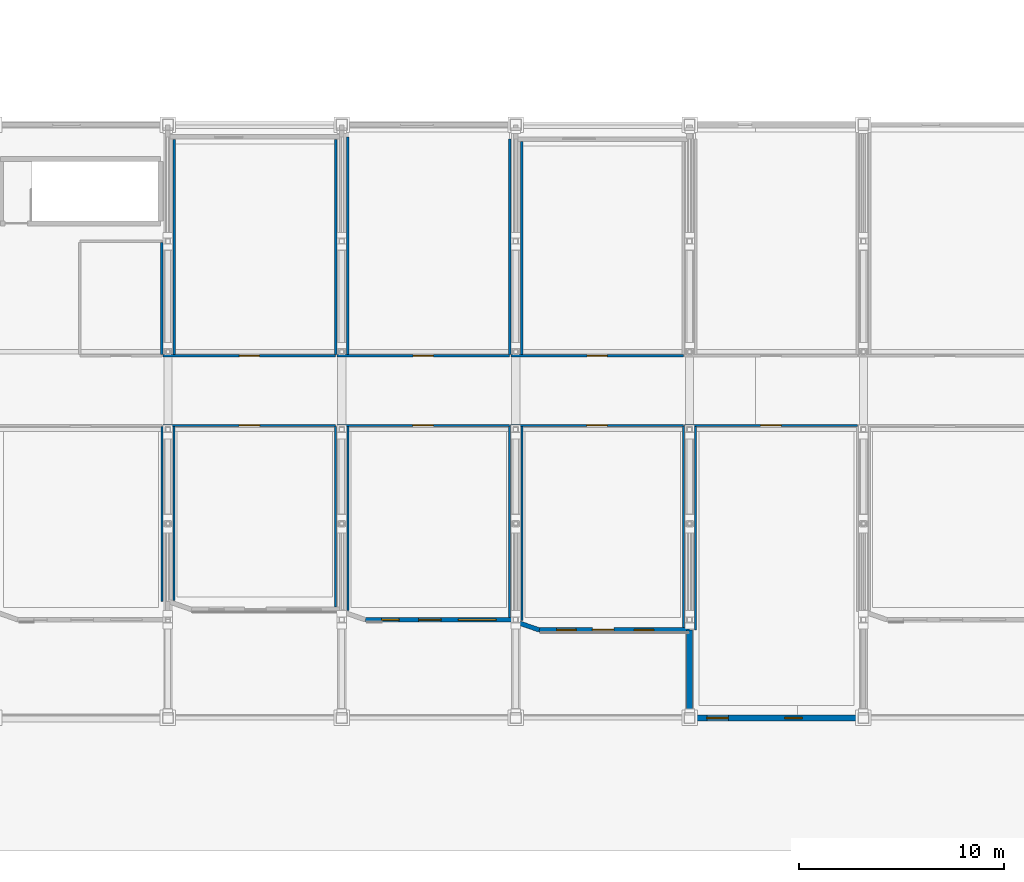
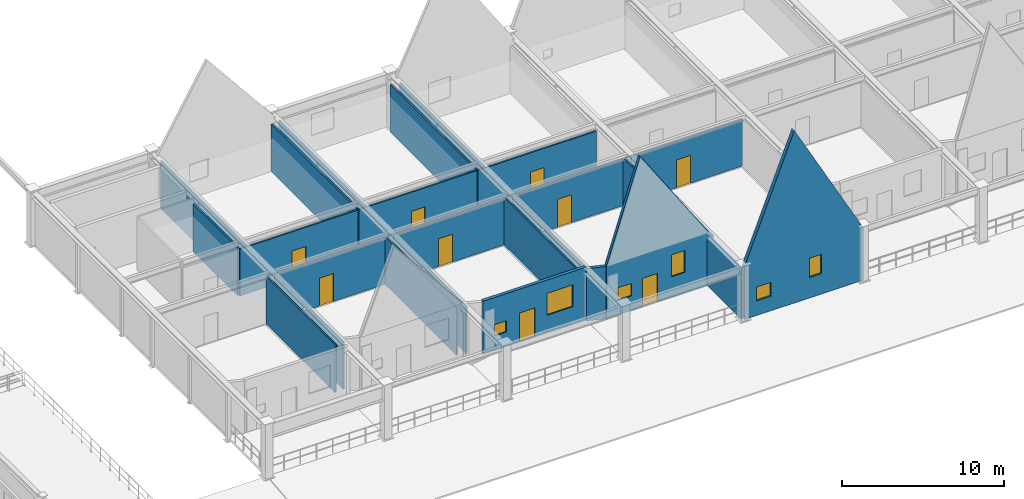
# One storey, part 63 of 78: 26 walls, 9 doors, 6 windows, 15 openings.
"""IFC4 building model written with IfcOpenShell, lengths in metres."""

from ifc_helpers import new_model, si_unit, direction, frame, frame_2d, origin, place, context, subcontext, project, spatial, polyline, rectangle, outline, extrude, material, layer, layer_set, type_object, element, fill, save


model = new_model("IFC4")

# Units and contexts
model_context = context("Model", 3, precision=1e-05, world=origin(), true_north=direction((0.0, 1.0)))
body_context = subcontext(model_context, "Body", "Model", "MODEL_VIEW")
ifc_project = project(units=[si_unit("LENGTHUNIT", "METRE"), si_unit("AREAUNIT", "SQUARE_METRE"), si_unit("VOLUMEUNIT", "CUBIC_METRE"), si_unit("PLANEANGLEUNIT", "RADIAN"), si_unit("MASSUNIT", "GRAM", prefix="KILO"), si_unit("THERMODYNAMICTEMPERATUREUNIT", "KELVIN"), si_unit("POWERUNIT", "WATT")], contexts=[model_context])

# Site, building, storey
site_placement = place(None, origin())
site = spatial("IfcSite", under=ifc_project, at=site_placement, CompositionType="ELEMENT")
building_placement = place(site_placement, origin())
building = spatial("IfcBuilding", under=site, at=building_placement, Name="Zhenchuan Central Fire Station", CompositionType="ELEMENT")
storey_placement = place(building_placement, frame((0.0, 0.0, 5.85009765625)))
storey = spatial("IfcBuildingStorey", under=building, at=storey_placement, Name="L02", CompositionType="ELEMENT", Elevation=5.85009765625)

# Wall
ifc_material_1 = material(Name="Sintered clay brick masonry MU15", Category="masonry")
ifc_layer_1 = layer(ifc_material_1, 0.300048828125, Name="Sintered clay brick masonry MU15", Category="masonry")
ifc_layer_set_1 = layer_set([ifc_layer_1], Name="Sintered clay brick masonry MU15")
wall_type_1 = type_object("IfcWallType", Name="EW-BRK300", PredefinedType="SOLIDWALL", material=ifc_layer_set_1)
wall_1_placement = place(storey_placement, frame((90.0, 6.510009765625, 0.0), z_axis=(0.0, 0.0, 1.0), x_axis=(0.0, 1.0, 0.0)))
element("IfcWall", 1, at=wall_1_placement, inside=storey, type_object=wall_type_1, Name="Pavilion H05 South Setback Return Wall", PredefinedType="SOLIDWALL", context=body_context, shape_type="SweptSolid", body=[
    extrude(rectangle(XDim=4.280029296875, YDim=0.300048828125, at=frame_2d((2.14013671875, 0.0))), origin(), (0.0, 0.0, 1.0), 3.58984375),
])

# Wall, openings, windows
wall_2_placement = place(storey_placement, frame((90.0, 6.5, 0.0), z_axis=(0.0, 0.0, 1.0), x_axis=(1.0, 0.0, 0.0)))
wall_2 = element("IfcWall", 2, at=wall_2_placement, inside=storey, type_object=wall_type_1, Name="Pavilion H05 South Red-Brick Station Sign Gable Wall", PredefinedType="SOLIDWALL", context=body_context, shape_type="SweptSolid", body=[
    extrude(outline(polyline([(0.0, 0.0), (8.5, 0.0), (8.5, 3.949951171875), (3.570068359375, 13.02001953125), (0.0, 3.949951171875), (0.0, 0.0)])), frame((0.0, 0.14990234375, 0.0), z_axis=(0.0, -1.0, 0.0), x_axis=(1.0, 0.0, 0.0)), (0.0, 0.0, 1.0), 0.300048828125),
])
opening_1_placement = place(wall_2_placement, frame((0.85009765625, 0.0, 1.10009765625)))
opening_1 = element("IfcOpeningElement", 3, at=opening_1_placement, cuts=wall_2, Name="Opening W-05", PredefinedType="OPENING", context=body_context, shape_type="SweptSolid", body=[
    extrude(rectangle(XDim=1.050048828125, YDim=1.050048828125, at=frame_2d((0.52490234375, 0.52490234375))), frame((0.0, 0.159912109375, 0.0), z_axis=(0.0, -1.0, 0.0), x_axis=(1.0, 0.0, 0.0)), (0.0, 0.0, 1.0), 0.320068359375),
])
opening_2_placement = place(wall_2_placement, frame((4.64990234375, 0.0, 1.550048828125)))
opening_2 = element("IfcOpeningElement", 4, at=opening_2_placement, cuts=wall_2, Name="Opening W-54", PredefinedType="OPENING", context=body_context, shape_type="SweptSolid", body=[
    extrude(rectangle(XDim=0.85009765625, YDim=1.449951171875, at=frame_2d((0.425048828125, 0.72509765625))), frame((0.0, 0.159912109375, 0.0), z_axis=(0.0, -1.0, 0.0), x_axis=(1.0, 0.0, 0.0)), (0.0, 0.0, 1.0), 0.320068359375),
])
ifc_material_2 = material(Name="Laminated low-E double glazing in aluminium frame", Category="aluminium")
window_type_1 = type_object("IfcWindowType", Name="WN-05", PartitioningType="SINGLE_PANEL", PredefinedType="WINDOW", material=ifc_material_2)
window_1_placement = place(opening_1_placement, origin())
window_1 = element("IfcWindow", 5, at=window_1_placement, inside=storey, type_object=window_type_1, Name="Exterior Window 0018", OverallHeight=1.050048828125, OverallWidth=1.050048828125, PartitioningType="SINGLE_PANEL", PredefinedType="WINDOW", context=body_context, shape_type="SweptSolid", body=[
    extrude(rectangle(XDim=1.050048828125, YDim=1.050048828125, at=frame_2d((0.52490234375, 0.52490234375))), frame((0.0, 0.030029296875, 0.0), z_axis=(0.0, -1.0, 0.0), x_axis=(1.0, 0.0, 0.0)), (0.0, 0.0, 1.0), 0.06005859375),
])
fill(opening_1, window_1)
window_type_2 = type_object("IfcWindowType", Name="WN-54", PartitioningType="SINGLE_PANEL", PredefinedType="WINDOW", material=ifc_material_2)
window_2_placement = place(opening_2_placement, origin())
window_2 = element("IfcWindow", 6, at=window_2_placement, inside=storey, type_object=window_type_2, Name="Exterior Window 0019", OverallHeight=1.449951171875, OverallWidth=0.85009765625, PartitioningType="SINGLE_PANEL", PredefinedType="WINDOW", context=body_context, shape_type="SweptSolid", body=[
    extrude(rectangle(XDim=0.85009765625, YDim=1.449951171875, at=frame_2d((0.425048828125, 0.72509765625))), frame((0.0, 0.030029296875, 0.0), z_axis=(0.0, -1.0, 0.0), x_axis=(1.0, 0.0, 0.0)), (0.0, 0.0, 1.0), 0.06005859375),
])
fill(opening_2, window_2)

# Wall, openings, door, windows
ifc_material_3 = material(Name="Precast concrete C40/50", Category="concrete")
ifc_layer_2 = layer(ifc_material_3, 0.219970703125, Name="Precast concrete C40/50", Category="concrete")
ifc_layer_set_2 = layer_set([ifc_layer_2], Name="Precast concrete C40/50")
wall_type_2 = type_object("IfcWallType", Name="EW-PRC220", PredefinedType="SOLIDWALL", material=ifc_layer_set_2)
wall_3_placement = place(storey_placement, frame((74.14990234375, 11.300048828125, 0.0), z_axis=(0.0, 0.0, 1.0), x_axis=(1.0, 0.0, 0.0)))
wall_3 = element("IfcWall", 7, at=wall_3_placement, inside=storey, type_object=wall_type_2, Name="Pavilion H03 South Wall", PredefinedType="SOLIDWALL", context=body_context, shape_type="SweptSolid", body=[
    extrude(rectangle(XDim=7.35009765625, YDim=0.219970703125, at=frame_2d((3.675048828125, 0.0))), origin(), (0.0, 0.0, 1.0), 4.0),
])
opening_3_placement = place(wall_3_placement, frame((2.60009765625, 0.0, 0.0)))
opening_3 = element("IfcOpeningElement", 8, at=opening_3_placement, cuts=wall_3, Name="Opening TD-003", PredefinedType="OPENING", context=body_context, shape_type="SweptSolid", body=[
    extrude(rectangle(XDim=1.10009765625, YDim=2.199951171875, at=frame_2d((0.550048828125, 1.10009765625))), frame((0.0, 0.119873046875, 0.0), z_axis=(0.0, -1.0, 0.0), x_axis=(1.0, 0.0, 0.0)), (0.0, 0.0, 1.0), 0.239990234375),
])
opening_4_placement = place(wall_3_placement, frame((0.800048828125, 0.0, 1.10009765625)))
opening_4 = element("IfcOpeningElement", 9, at=opening_4_placement, cuts=wall_3, Name="Opening W-03", PredefinedType="OPENING", context=body_context, shape_type="SweptSolid", body=[
    extrude(rectangle(XDim=0.85009765625, YDim=0.85009765625, at=frame_2d((0.425048828125, 0.425048828125))), frame((0.0, 0.119873046875, 0.0), z_axis=(0.0, -1.0, 0.0), x_axis=(1.0, 0.0, 0.0)), (0.0, 0.0, 1.0), 0.239990234375),
])
opening_5_placement = place(wall_3_placement, frame((4.550048828125, 0.0, 1.35009765625)))
opening_5 = element("IfcOpeningElement", 10, at=opening_5_placement, cuts=wall_3, Name="Opening W-52", PredefinedType="OPENING", context=body_context, shape_type="SweptSolid", body=[
    extrude(rectangle(XDim=1.85009765625, YDim=1.64990234375, at=frame_2d((0.925048828125, 0.824951171875))), frame((0.0, 0.119873046875, 0.0), z_axis=(0.0, -1.0, 0.0), x_axis=(1.0, 0.0, 0.0)), (0.0, 0.0, 1.0), 0.239990234375),
])
ifc_material_4 = material(Name="Thermally broken aluminium terrace door", Category="aluminium")
door_type_1 = type_object("IfcDoorType", Name="ED-110x220", OperationType="NOTDEFINED", PredefinedType="DOOR", material=ifc_material_4)
door_1_placement = place(opening_3_placement, frame((1.10009765625, 0.0, 0.0), z_axis=(0.0, 0.0, 1.0), x_axis=(-1.0, 0.0, 0.0)))
door_1 = element("IfcDoor", 11, at=door_1_placement, inside=storey, type_object=door_type_1, Name="Pavilion H03 Setback Terrace Door", OperationType="SINGLE_SWING_LEFT", OverallHeight=2.199951171875, OverallWidth=1.10009765625, PredefinedType="DOOR", context=body_context, shape_type="SweptSolid", body=[
    extrude(rectangle(XDim=1.10009765625, YDim=2.199951171875, at=frame_2d((0.550048828125, 1.10009765625))), frame((0.0, 0.02490234375, 0.0), z_axis=(0.0, -1.0, 0.0), x_axis=(1.0, 0.0, 0.0)), (0.0, 0.0, 1.0), 0.050048828125),
])
fill(opening_3, door_1)
window_type_3 = type_object("IfcWindowType", Name="WN-03", PartitioningType="SINGLE_PANEL", PredefinedType="WINDOW", material=ifc_material_2)
window_3_placement = place(opening_4_placement, origin())
window_3 = element("IfcWindow", 12, at=window_3_placement, inside=storey, type_object=window_type_3, Name="Exterior Window 0012", OverallHeight=0.85009765625, OverallWidth=0.85009765625, PartitioningType="SINGLE_PANEL", PredefinedType="WINDOW", context=body_context, shape_type="SweptSolid", body=[
    extrude(rectangle(XDim=0.85009765625, YDim=0.85009765625, at=frame_2d((0.425048828125, 0.425048828125))), frame((0.0, 0.030029296875, 0.0), z_axis=(0.0, -1.0, 0.0), x_axis=(1.0, 0.0, 0.0)), (0.0, 0.0, 1.0), 0.06005859375),
])
fill(opening_4, window_3)
window_type_4 = type_object("IfcWindowType", Name="WN-52", PartitioningType="SINGLE_PANEL", PredefinedType="WINDOW", material=ifc_material_2)
window_4_placement = place(opening_5_placement, origin())
window_4 = element("IfcWindow", 13, at=window_4_placement, inside=storey, type_object=window_type_4, Name="Exterior Window 0013", OverallHeight=1.64990234375, OverallWidth=1.85009765625, PartitioningType="SINGLE_PANEL", PredefinedType="WINDOW", context=body_context, shape_type="SweptSolid", body=[
    extrude(rectangle(XDim=1.85009765625, YDim=1.64990234375, at=frame_2d((0.925048828125, 0.824951171875))), frame((0.0, 0.030029296875, 0.0), z_axis=(0.0, -1.0, 0.0), x_axis=(1.0, 0.0, 0.0)), (0.0, 0.0, 1.0), 0.06005859375),
])
fill(opening_5, window_4)

wall_4_placement = place(storey_placement, frame((82.64990234375, 10.800048828125, 0.0), z_axis=(0.0, 0.0, 1.0), x_axis=(1.0, 0.0, 0.0)))
wall_4 = element("IfcWall", 14, at=wall_4_placement, inside=storey, type_object=wall_type_2, Name="Pavilion H04 South Gable Wall", PredefinedType="SOLIDWALL", context=body_context, shape_type="SweptSolid", body=[
    extrude(outline(polyline([(0.0, 0.0), (7.35009765625, 0.0), (7.35009765625, 3.949951171875), (2.419921875, 11.419921875), (0.0, 3.949951171875), (0.0, 0.0)])), frame((0.0, 0.10986328125, 0.0), z_axis=(0.0, -1.0, 0.0), x_axis=(1.0, 0.0, 0.0)), (0.0, 0.0, 1.0), 0.219970703125),
])
opening_6_placement = place(wall_4_placement, frame((2.60009765625, 0.0, 0.0)))
opening_6 = element("IfcOpeningElement", 15, at=opening_6_placement, cuts=wall_4, Name="Opening TD-004", PredefinedType="OPENING", context=body_context, shape_type="SweptSolid", body=[
    extrude(rectangle(XDim=1.050048828125, YDim=2.14990234375, at=frame_2d((0.52490234375, 1.074951171875))), frame((0.0, 0.119873046875, 0.0), z_axis=(0.0, -1.0, 0.0), x_axis=(1.0, 0.0, 0.0)), (0.0, 0.0, 1.0), 0.239990234375),
])
opening_7_placement = place(wall_4_placement, frame((0.85009765625, 0.0, 1.10009765625)))
opening_7 = element("IfcOpeningElement", 16, at=opening_7_placement, cuts=wall_4, Name="Opening W-04", PredefinedType="OPENING", context=body_context, shape_type="SweptSolid", body=[
    extrude(rectangle(XDim=0.949951171875, YDim=0.949951171875, at=frame_2d((0.47509765625, 0.47509765625))), frame((0.0, 0.119873046875, 0.0), z_axis=(0.0, -1.0, 0.0), x_axis=(1.0, 0.0, 0.0)), (0.0, 0.0, 1.0), 0.239990234375),
])
opening_8_placement = place(wall_4_placement, frame((4.64990234375, 0.0, 1.550048828125)))
opening_8 = element("IfcOpeningElement", 17, at=opening_8_placement, cuts=wall_4, Name="Opening W-53", PredefinedType="OPENING", context=body_context, shape_type="SweptSolid", body=[
    extrude(rectangle(XDim=0.949951171875, YDim=1.64990234375, at=frame_2d((0.47509765625, 0.824951171875))), frame((0.0, 0.119873046875, 0.0), z_axis=(0.0, -1.0, 0.0), x_axis=(1.0, 0.0, 0.0)), (0.0, 0.0, 1.0), 0.239990234375),
])
door_type_2 = type_object("IfcDoorType", Name="ED-105x215", OperationType="NOTDEFINED", PredefinedType="DOOR", material=ifc_material_4)
door_2_placement = place(opening_6_placement, frame((1.050048828125, 0.0, 0.0), z_axis=(0.0, 0.0, 1.0), x_axis=(-1.0, 0.0, 0.0)))
door_2 = element("IfcDoor", 18, at=door_2_placement, inside=storey, type_object=door_type_2, Name="Pavilion H04 Terrace Door", OperationType="SINGLE_SWING_RIGHT", OverallHeight=2.14990234375, OverallWidth=1.050048828125, PredefinedType="DOOR", context=body_context, shape_type="SweptSolid", body=[
    extrude(rectangle(XDim=1.050048828125, YDim=2.14990234375, at=frame_2d((0.52490234375, 1.074951171875))), frame((0.0, 0.02490234375, 0.0), z_axis=(0.0, -1.0, 0.0), x_axis=(1.0, 0.0, 0.0)), (0.0, 0.0, 1.0), 0.050048828125),
])
fill(opening_6, door_2)
window_type_5 = type_object("IfcWindowType", Name="WN-04", PartitioningType="SINGLE_PANEL", PredefinedType="WINDOW", material=ifc_material_2)
window_5_placement = place(opening_7_placement, origin())
window_5 = element("IfcWindow", 19, at=window_5_placement, inside=storey, type_object=window_type_5, Name="Exterior Window 0015", OverallHeight=0.949951171875, OverallWidth=0.949951171875, PartitioningType="SINGLE_PANEL", PredefinedType="WINDOW", context=body_context, shape_type="SweptSolid", body=[
    extrude(rectangle(XDim=0.949951171875, YDim=0.949951171875, at=frame_2d((0.47509765625, 0.47509765625))), frame((0.0, 0.030029296875, 0.0), z_axis=(0.0, -1.0, 0.0), x_axis=(1.0, 0.0, 0.0)), (0.0, 0.0, 1.0), 0.06005859375),
])
fill(opening_7, window_5)
window_type_6 = type_object("IfcWindowType", Name="WN-53", PartitioningType="SINGLE_PANEL", PredefinedType="WINDOW", material=ifc_material_2)
window_6_placement = place(opening_8_placement, origin())
window_6 = element("IfcWindow", 20, at=window_6_placement, inside=storey, type_object=window_type_6, Name="Exterior Window 0016", OverallHeight=1.64990234375, OverallWidth=0.949951171875, PartitioningType="SINGLE_PANEL", PredefinedType="WINDOW", context=body_context, shape_type="SweptSolid", body=[
    extrude(rectangle(XDim=0.949951171875, YDim=1.64990234375, at=frame_2d((0.47509765625, 0.824951171875))), frame((0.0, 0.030029296875, 0.0), z_axis=(0.0, -1.0, 0.0), x_axis=(1.0, 0.0, 0.0)), (0.0, 0.0, 1.0), 0.06005859375),
])
fill(opening_8, window_6)

# Walls
wall_5_placement = place(storey_placement, frame((81.5, 11.199951171875, 0.0), z_axis=(0.0, 0.0, 1.0), x_axis=(0.944513027611, -0.328473957373, 0.0)))
element("IfcWall", 21, at=wall_5_placement, inside=storey, type_object=wall_type_2, Name="Pavilion H04 Chamfer Wall", PredefinedType="SOLIDWALL", context=body_context, shape_type="SweptSolid", body=[
    extrude(outline(polyline([(0.0, 0.0), (1.217529296875, 0.0), (1.217529296875, 3.949951171875), (0.0, 3.949951171875), (0.0, 0.0)])), frame((0.0, 0.10986328125, 0.0), z_axis=(0.0, -1.0, 0.0), x_axis=(1.0, 0.0, 0.0)), (0.0, 0.0, 1.0), 0.219970703125),
])
ifc_material_5 = material(Name="Gypsum plasterboard on steel studs", Category="gypsum")
ifc_layer_3 = layer(ifc_material_5, 0.10009765625, Name="Gypsum plasterboard on steel studs", Category="gypsum")
ifc_layer_set_3 = layer_set([ifc_layer_3], Name="Gypsum plasterboard on steel studs")
wall_type_3 = type_object("IfcWallType", Name="IW-GYP100", PredefinedType="PARTITIONING", material=ifc_layer_set_3)
wall_6_placement = place(storey_placement, frame((64.199951171875, 12.193115234375, 0.0), z_axis=(0.0, 0.0, 1.0), x_axis=(0.0, 1.0, 0.0)))
element("IfcWall", 22, at=wall_6_placement, inside=storey, type_object=wall_type_3, Name="Turnout Readiness Briefing Room E Partition", PredefinedType="PARTITIONING", context=body_context, shape_type="SweptSolid", body=[
    extrude(rectangle(XDim=8.553955078125, YDim=0.10009765625, at=frame_2d((4.27685546875, 0.0))), origin(), (0.0, 0.0, 1.0), 3.593994140625),
])

# Wall, opening, door
wall_7_placement = place(storey_placement, frame((64.2529296875, 20.800048828125, 0.0), z_axis=(0.0, 0.0, 1.0), x_axis=(1.0, 0.0, 0.0)))
wall_7 = element("IfcWall", 23, at=wall_7_placement, inside=storey, type_object=wall_type_3, Name="Urban Search Rescue Classroom N Partition", PredefinedType="PARTITIONING", context=body_context, shape_type="SweptSolid", body=[
    extrude(rectangle(XDim=8.447021484375, YDim=0.10009765625, at=frame_2d((4.2236328125, 0.0))), origin(), (0.0, 0.0, 1.0), 3.5439453125),
])
opening_9_placement = place(wall_7_placement, frame((3.723388671875, 0.0, 0.0)))
opening_9 = element("IfcOpeningElement", 24, at=opening_9_placement, cuts=wall_7, Name="Opening D-102", PredefinedType="OPENING", context=body_context, shape_type="SweptSolid", body=[
    extrude(rectangle(XDim=1.0, YDim=2.10009765625, at=frame_2d((0.5, 1.050048828125))), frame((0.0, 0.06005859375, 0.0), z_axis=(0.0, -1.0, 0.0), x_axis=(1.0, 0.0, 0.0)), (0.0, 0.0, 1.0), 0.1201171875),
])
ifc_material_6 = material(Name="Solid-core timber office door", Category="wood")
door_type_3 = type_object("IfcDoorType", Name="ID-OFF-100x210", OperationType="NOTDEFINED", PredefinedType="DOOR", material=ifc_material_6)
door_3_placement = place(opening_9_placement, origin())
door_3 = element("IfcDoor", 25, at=door_3_placement, inside=storey, type_object=door_type_3, Name="Urban Search Rescue Classroom Door", OperationType="SINGLE_SWING_RIGHT", OverallHeight=2.10009765625, OverallWidth=1.0, PredefinedType="DOOR", context=body_context, shape_type="SweptSolid", body=[
    extrude(rectangle(XDim=1.0, YDim=2.10009765625, at=frame_2d((0.5, 1.050048828125))), frame((0.0, 0.02490234375, 0.0), z_axis=(0.0, -1.0, 0.0), x_axis=(1.0, 0.0, 0.0)), (0.0, 0.0, 1.0), 0.050048828125),
])
fill(opening_9, door_3)

# Walls
wall_8_placement = place(storey_placement, frame((64.800048828125, 12.25, 0.0), z_axis=(0.0, 0.0, 1.0), x_axis=(0.0, 1.0, 0.0)))
element("IfcWall", 26, at=wall_8_placement, inside=storey, type_object=wall_type_3, Name="Urban Search Rescue Classroom W Partition", PredefinedType="PARTITIONING", context=body_context, shape_type="SweptSolid", body=[
    extrude(rectangle(XDim=8.4970703125, YDim=0.10009765625, at=frame_2d((4.24853515625, 0.0))), origin(), (0.0, 0.0, 1.0), 3.593994140625),
])
wall_9_placement = place(storey_placement, frame((72.699951171875, 11.9130859375, 0.0), z_axis=(0.0, 0.0, 1.0), x_axis=(0.0, 1.0, 0.0)))
element("IfcWall", 27, at=wall_9_placement, inside=storey, type_object=wall_type_3, Name="Urban Search Rescue Classroom E Partition", PredefinedType="PARTITIONING", context=body_context, shape_type="SweptSolid", body=[
    extrude(rectangle(XDim=8.833984375, YDim=0.10009765625, at=frame_2d((4.4169921875, 0.0))), origin(), (0.0, 0.0, 1.0), 3.593994140625),
])

# Wall, opening, door
wall_10_placement = place(storey_placement, frame((72.7529296875, 20.800048828125, 0.0), z_axis=(0.0, 0.0, 1.0), x_axis=(1.0, 0.0, 0.0)))
wall_10 = element("IfcWall", 28, at=wall_10_placement, inside=storey, type_object=wall_type_3, Name="Hazardous Materials Study Room N Partition", PredefinedType="PARTITIONING", context=body_context, shape_type="SweptSolid", body=[
    extrude(rectangle(XDim=8.447021484375, YDim=0.10009765625, at=frame_2d((4.2236328125, 0.0))), origin(), (0.0, 0.0, 1.0), 3.5439453125),
])
opening_10_placement = place(wall_10_placement, frame((3.723388671875, 0.0, 0.0)))
opening_10 = element("IfcOpeningElement", 29, at=opening_10_placement, cuts=wall_10, Name="Opening D-104", PredefinedType="OPENING", context=body_context, shape_type="SweptSolid", body=[
    extrude(rectangle(XDim=1.0, YDim=2.10009765625, at=frame_2d((0.5, 1.050048828125))), frame((0.0, 0.06005859375, 0.0), z_axis=(0.0, -1.0, 0.0), x_axis=(1.0, 0.0, 0.0)), (0.0, 0.0, 1.0), 0.1201171875),
])
door_4_placement = place(opening_10_placement, origin())
door_4 = element("IfcDoor", 30, at=door_4_placement, inside=storey, type_object=door_type_3, Name="Hazardous Materials Study Room Door", OperationType="SINGLE_SWING_RIGHT", OverallHeight=2.10009765625, OverallWidth=1.0, PredefinedType="DOOR", context=body_context, shape_type="SweptSolid", body=[
    extrude(rectangle(XDim=1.0, YDim=2.10009765625, at=frame_2d((0.5, 1.050048828125))), frame((0.0, 0.02490234375, 0.0), z_axis=(0.0, -1.0, 0.0), x_axis=(1.0, 0.0, 0.0)), (0.0, 0.0, 1.0), 0.050048828125),
])
fill(opening_10, door_4)

# Walls
wall_11_placement = place(storey_placement, frame((73.300048828125, 11.75, 0.0), z_axis=(0.0, 0.0, 1.0), x_axis=(0.0, 1.0, 0.0)))
element("IfcWall", 31, at=wall_11_placement, inside=storey, type_object=wall_type_3, Name="Hazardous Materials Study Room W Partition", PredefinedType="PARTITIONING", context=body_context, shape_type="SweptSolid", body=[
    extrude(rectangle(XDim=8.9970703125, YDim=0.10009765625, at=frame_2d((4.49853515625, 0.0))), origin(), (0.0, 0.0, 1.0), 3.593994140625),
])
wall_12_placement = place(storey_placement, frame((81.199951171875, 11.4130859375, 0.0), z_axis=(0.0, 0.0, 1.0), x_axis=(0.0, 1.0, 0.0)))
element("IfcWall", 32, at=wall_12_placement, inside=storey, type_object=wall_type_3, Name="Hazardous Materials Study Room E Partition", PredefinedType="PARTITIONING", context=body_context, shape_type="SweptSolid", body=[
    extrude(rectangle(XDim=9.333984375, YDim=0.10009765625, at=frame_2d((4.6669921875, 0.0))), origin(), (0.0, 0.0, 1.0), 3.593994140625),
])

# Wall, opening, door
wall_13_placement = place(storey_placement, frame((81.2529296875, 20.800048828125, 0.0), z_axis=(0.0, 0.0, 1.0), x_axis=(1.0, 0.0, 0.0)))
wall_13 = element("IfcWall", 33, at=wall_13_placement, inside=storey, type_object=wall_type_3, Name="Platoon Duty Lounge N Partition", PredefinedType="PARTITIONING", context=body_context, shape_type="SweptSolid", body=[
    extrude(rectangle(XDim=8.447021484375, YDim=0.10009765625, at=frame_2d((4.2236328125, 0.0))), origin(), (0.0, 0.0, 1.0), 3.5439453125),
])
opening_11_placement = place(wall_13_placement, frame((3.723388671875, 0.0, 0.0)))
opening_11 = element("IfcOpeningElement", 34, at=opening_11_placement, cuts=wall_13, Name="Opening D-106", PredefinedType="OPENING", context=body_context, shape_type="SweptSolid", body=[
    extrude(rectangle(XDim=1.0, YDim=2.10009765625, at=frame_2d((0.5, 1.050048828125))), frame((0.0, 0.06005859375, 0.0), z_axis=(0.0, -1.0, 0.0), x_axis=(1.0, 0.0, 0.0)), (0.0, 0.0, 1.0), 0.1201171875),
])
door_5_placement = place(opening_11_placement, origin())
door_5 = element("IfcDoor", 35, at=door_5_placement, inside=storey, type_object=door_type_3, Name="Platoon Duty Lounge Door", OperationType="SINGLE_SWING_RIGHT", OverallHeight=2.10009765625, OverallWidth=1.0, PredefinedType="DOOR", context=body_context, shape_type="SweptSolid", body=[
    extrude(rectangle(XDim=1.0, YDim=2.10009765625, at=frame_2d((0.5, 1.050048828125))), frame((0.0, 0.02490234375, 0.0), z_axis=(0.0, -1.0, 0.0), x_axis=(1.0, 0.0, 0.0)), (0.0, 0.0, 1.0), 0.050048828125),
])
fill(opening_11, door_5)

# Walls
wall_14_placement = place(storey_placement, frame((81.800048828125, 11.25, 0.0), z_axis=(0.0, 0.0, 1.0), x_axis=(0.0, 1.0, 0.0)))
element("IfcWall", 36, at=wall_14_placement, inside=storey, type_object=wall_type_3, Name="Platoon Duty Lounge W Partition", PredefinedType="PARTITIONING", context=body_context, shape_type="SweptSolid", body=[
    extrude(rectangle(XDim=9.4970703125, YDim=0.10009765625, at=frame_2d((4.74853515625, 0.0))), origin(), (0.0, 0.0, 1.0), 3.593994140625),
])
wall_15_placement = place(storey_placement, frame((89.699951171875, 10.9130859375, 0.0), z_axis=(0.0, 0.0, 1.0), x_axis=(0.0, 1.0, 0.0)))
element("IfcWall", 37, at=wall_15_placement, inside=storey, type_object=wall_type_3, Name="Platoon Duty Lounge E Partition", PredefinedType="PARTITIONING", context=body_context, shape_type="SweptSolid", body=[
    extrude(rectangle(XDim=9.833984375, YDim=0.10009765625, at=frame_2d((4.9169921875, 0.0))), origin(), (0.0, 0.0, 1.0), 3.593994140625),
])

# Wall, opening, door
wall_16_placement = place(storey_placement, frame((89.7529296875, 20.800048828125, 0.0), z_axis=(0.0, 0.0, 1.0), x_axis=(1.0, 0.0, 0.0)))
wall_16 = element("IfcWall", 38, at=wall_16_placement, inside=storey, type_object=wall_type_3, Name="Central Station Heritage Hall N Partition", PredefinedType="PARTITIONING", context=body_context, shape_type="SweptSolid", body=[
    extrude(rectangle(XDim=8.447021484375, YDim=0.10009765625, at=frame_2d((4.2236328125, 0.0))), origin(), (0.0, 0.0, 1.0), 3.5439453125),
])
opening_12_placement = place(wall_16_placement, frame((3.723388671875, 0.0, 0.0)))
opening_12 = element("IfcOpeningElement", 39, at=opening_12_placement, cuts=wall_16, Name="Opening D-108", PredefinedType="OPENING", context=body_context, shape_type="SweptSolid", body=[
    extrude(rectangle(XDim=1.0, YDim=2.10009765625, at=frame_2d((0.5, 1.050048828125))), frame((0.0, 0.06005859375, 0.0), z_axis=(0.0, -1.0, 0.0), x_axis=(1.0, 0.0, 0.0)), (0.0, 0.0, 1.0), 0.1201171875),
])
door_6_placement = place(opening_12_placement, origin())
door_6 = element("IfcDoor", 40, at=door_6_placement, inside=storey, type_object=door_type_3, Name="Central Station Heritage Hall Door", OperationType="SINGLE_SWING_RIGHT", OverallHeight=2.10009765625, OverallWidth=1.0, PredefinedType="DOOR", context=body_context, shape_type="SweptSolid", body=[
    extrude(rectangle(XDim=1.0, YDim=2.10009765625, at=frame_2d((0.5, 1.050048828125))), frame((0.0, 0.02490234375, 0.0), z_axis=(0.0, -1.0, 0.0), x_axis=(1.0, 0.0, 0.0)), (0.0, 0.0, 1.0), 0.050048828125),
])
fill(opening_12, door_6)

# Walls
wall_17_placement = place(storey_placement, frame((90.300048828125, 10.79296875, 0.0), z_axis=(0.0, 0.0, 1.0), x_axis=(0.0, 1.0, 0.0)))
element("IfcWall", 41, at=wall_17_placement, inside=storey, type_object=wall_type_3, Name="Central Station Heritage Hall W Partition", PredefinedType="PARTITIONING", context=body_context, shape_type="SweptSolid", body=[
    extrude(rectangle(XDim=9.9541015625, YDim=0.10009765625, at=frame_2d((4.97705078125, 0.0))), origin(), (0.0, 0.0, 1.0), 3.593994140625),
])
ifc_layer_4 = layer(ifc_material_5, 0.1201171875, Name="Gypsum plasterboard on steel studs", Category="gypsum")
ifc_layer_set_4 = layer_set([ifc_layer_4], Name="Gypsum plasterboard on steel studs")
wall_type_4 = type_object("IfcWallType", Name="IW-GYP120", PredefinedType="PARTITIONING", material=ifc_layer_set_4)
wall_18_placement = place(storey_placement, frame((64.199951171875, 24.262939453125, 0.0), z_axis=(0.0, 0.0, 1.0), x_axis=(0.0, 1.0, 0.0)))
element("IfcWall", 42, at=wall_18_placement, inside=storey, type_object=wall_type_4, Name="Tactical Equipment Study Room E Partition", PredefinedType="PARTITIONING", context=body_context, shape_type="SweptSolid", body=[
    extrude(rectangle(XDim=5.47412109375, YDim=0.1201171875, at=frame_2d((2.737060546875, 0.0))), origin(), (0.0, 0.0, 1.0), 3.593994140625),
])

# Wall, opening, door
wall_19_placement = place(storey_placement, frame((64.262939453125, 24.199951171875, 0.0), z_axis=(0.0, 0.0, 1.0), x_axis=(1.0, 0.0, 0.0)))
wall_19 = element("IfcWall", 43, at=wall_19_placement, inside=storey, type_object=wall_type_4, Name="Dispatcher Simulation Studio S Partition", PredefinedType="PARTITIONING", context=body_context, shape_type="SweptSolid", body=[
    extrude(rectangle(XDim=8.43701171875, YDim=0.1201171875, at=frame_2d((4.218505859375, 0.0))), origin(), (0.0, 0.0, 1.0), 3.5439453125),
])
opening_13_placement = place(wall_19_placement, frame((3.728515625, 0.0, 0.0)))
opening_13 = element("IfcOpeningElement", 44, at=opening_13_placement, cuts=wall_19, Name="Opening D-103", PredefinedType="OPENING", context=body_context, shape_type="SweptSolid", body=[
    extrude(rectangle(XDim=0.97998046875, YDim=2.10009765625, at=frame_2d((0.489990234375, 1.050048828125))), frame((0.0, 0.070068359375, 0.0), z_axis=(0.0, -1.0, 0.0), x_axis=(1.0, 0.0, 0.0)), (0.0, 0.0, 1.0), 0.14013671875),
])
ifc_material_7 = material(Name="Solid-core timber study door", Category="wood")
door_type_4 = type_object("IfcDoorType", Name="ID-OFF-098x210", OperationType="NOTDEFINED", PredefinedType="DOOR", material=ifc_material_7)
door_7_placement = place(opening_13_placement, origin())
door_7 = element("IfcDoor", 45, at=door_7_placement, inside=storey, type_object=door_type_4, Name="Dispatcher Simulation Studio Door", OperationType="SINGLE_SWING_LEFT", OverallHeight=2.10009765625, OverallWidth=0.97998046875, PredefinedType="DOOR", context=body_context, shape_type="SweptSolid", body=[
    extrude(rectangle(XDim=0.97998046875, YDim=2.10009765625, at=frame_2d((0.489990234375, 1.050048828125))), frame((0.0, 0.02490234375, 0.0), z_axis=(0.0, -1.0, 0.0), x_axis=(1.0, 0.0, 0.0)), (0.0, 0.0, 1.0), 0.050048828125),
])
fill(opening_13, door_7)

# Walls
for number, where, z_axis, x_axis, name in (
    (46, (64.800048828125, 24.262939453125, 0.0), (0.0, 0.0, 1.0), (0.0, 1.0, 0.0), "Dispatcher Simulation Studio W Partition"),
    (47, (72.699951171875, 24.262939453125, 0.0), (0.0, 0.0, 1.0), (0.0, 1.0, 0.0), "Dispatcher Simulation Studio E Partition"),
):
    element("IfcWall", number, at=place(storey_placement, frame(where, z_axis=z_axis, x_axis=x_axis)), inside=storey, type_object=wall_type_4, Name=name, PredefinedType="PARTITIONING", context=body_context, shape_type="SweptSolid", body=[
        extrude(rectangle(XDim=10.524169921875, YDim=0.1201171875, at=frame_2d((5.26220703125, 0.0))), origin(), (0.0, 0.0, 1.0), 3.593994140625),
    ])

# Wall, opening, door
wall_20_placement = place(storey_placement, frame((72.762939453125, 24.199951171875, 0.0), z_axis=(0.0, 0.0, 1.0), x_axis=(1.0, 0.0, 0.0)))
wall_20 = element("IfcWall", 48, at=wall_20_placement, inside=storey, type_object=wall_type_4, Name="Protective Suit Store Room S Partition", PredefinedType="PARTITIONING", context=body_context, shape_type="SweptSolid", body=[
    extrude(rectangle(XDim=8.43701171875, YDim=0.1201171875, at=frame_2d((4.218505859375, 0.0))), origin(), (0.0, 0.0, 1.0), 3.5439453125),
])
opening_14_placement = place(wall_20_placement, frame((3.728515625, 0.0, 0.0)))
opening_14 = element("IfcOpeningElement", 49, at=opening_14_placement, cuts=wall_20, Name="Opening D-105", PredefinedType="OPENING", context=body_context, shape_type="SweptSolid", body=[
    extrude(rectangle(XDim=0.97998046875, YDim=2.10009765625, at=frame_2d((0.489990234375, 1.050048828125))), frame((0.0, 0.070068359375, 0.0), z_axis=(0.0, -1.0, 0.0), x_axis=(1.0, 0.0, 0.0)), (0.0, 0.0, 1.0), 0.14013671875),
])
door_8_placement = place(opening_14_placement, origin())
door_8 = element("IfcDoor", 50, at=door_8_placement, inside=storey, type_object=door_type_4, Name="Protective Suit Store Room Door", OperationType="SINGLE_SWING_LEFT", OverallHeight=2.10009765625, OverallWidth=0.97998046875, PredefinedType="DOOR", context=body_context, shape_type="SweptSolid", body=[
    extrude(rectangle(XDim=0.97998046875, YDim=2.10009765625, at=frame_2d((0.489990234375, 1.050048828125))), frame((0.0, 0.02490234375, 0.0), z_axis=(0.0, -1.0, 0.0), x_axis=(1.0, 0.0, 0.0)), (0.0, 0.0, 1.0), 0.050048828125),
])
fill(opening_14, door_8)

# Walls
wall_21_placement = place(storey_placement, frame((73.300048828125, 24.262939453125, 0.0), z_axis=(0.0, 0.0, 1.0), x_axis=(0.0, 1.0, 0.0)))
element("IfcWall", 51, at=wall_21_placement, inside=storey, type_object=wall_type_4, Name="Protective Suit Store Room W Partition", PredefinedType="PARTITIONING", context=body_context, shape_type="SweptSolid", body=[
    extrude(rectangle(XDim=10.64404296875, YDim=0.1201171875, at=frame_2d((5.322021484375, 0.0))), origin(), (0.0, 0.0, 1.0), 3.593994140625),
])
wall_22_placement = place(storey_placement, frame((81.199951171875, 24.262939453125, 0.0), z_axis=(0.0, 0.0, 1.0), x_axis=(0.0, 1.0, 0.0)))
element("IfcWall", 52, at=wall_22_placement, inside=storey, type_object=wall_type_4, Name="Protective Suit Store Room E Partition", PredefinedType="PARTITIONING", context=body_context, shape_type="SweptSolid", body=[
    extrude(rectangle(XDim=10.5439453125, YDim=0.1201171875, at=frame_2d((5.27197265625, 0.0))), origin(), (0.0, 0.0, 1.0), 3.593994140625),
])

# Wall, opening, door
wall_23_placement = place(storey_placement, frame((81.262939453125, 24.199951171875, 0.0), z_axis=(0.0, 0.0, 1.0), x_axis=(1.0, 0.0, 0.0)))
wall_23 = element("IfcWall", 53, at=wall_23_placement, inside=storey, type_object=wall_type_4, Name="Incident Review Classroom S Partition", PredefinedType="PARTITIONING", context=body_context, shape_type="SweptSolid", body=[
    extrude(rectangle(XDim=8.43701171875, YDim=0.1201171875, at=frame_2d((4.218505859375, 0.0))), origin(), (0.0, 0.0, 1.0), 3.5439453125),
])
opening_15_placement = place(wall_23_placement, frame((3.728515625, 0.0, 0.0)))
opening_15 = element("IfcOpeningElement", 54, at=opening_15_placement, cuts=wall_23, Name="Opening D-107", PredefinedType="OPENING", context=body_context, shape_type="SweptSolid", body=[
    extrude(rectangle(XDim=0.97998046875, YDim=2.10009765625, at=frame_2d((0.489990234375, 1.050048828125))), frame((0.0, 0.070068359375, 0.0), z_axis=(0.0, -1.0, 0.0), x_axis=(1.0, 0.0, 0.0)), (0.0, 0.0, 1.0), 0.14013671875),
])
door_9_placement = place(opening_15_placement, origin())
door_9 = element("IfcDoor", 55, at=door_9_placement, inside=storey, type_object=door_type_4, Name="Incident Review Classroom Door", OperationType="SINGLE_SWING_LEFT", OverallHeight=2.10009765625, OverallWidth=0.97998046875, PredefinedType="DOOR", context=body_context, shape_type="SweptSolid", body=[
    extrude(rectangle(XDim=0.97998046875, YDim=2.10009765625, at=frame_2d((0.489990234375, 1.050048828125))), frame((0.0, 0.02490234375, 0.0), z_axis=(0.0, -1.0, 0.0), x_axis=(1.0, 0.0, 0.0)), (0.0, 0.0, 1.0), 0.050048828125),
])
fill(opening_15, door_9)

# Wall
wall_24_placement = place(storey_placement, frame((81.800048828125, 24.262939453125, 0.0), z_axis=(0.0, 0.0, 1.0), x_axis=(0.0, 1.0, 0.0)))
element("IfcWall", 56, at=wall_24_placement, inside=storey, type_object=wall_type_4, Name="Incident Review Classroom W Partition", PredefinedType="PARTITIONING", context=body_context, shape_type="SweptSolid", body=[
    extrude(rectangle(XDim=10.424072265625, YDim=0.1201171875, at=frame_2d((5.2119140625, 0.0))), origin(), (0.0, 0.0, 1.0), 3.593994140625),
])

save(model, "model.ifc")
